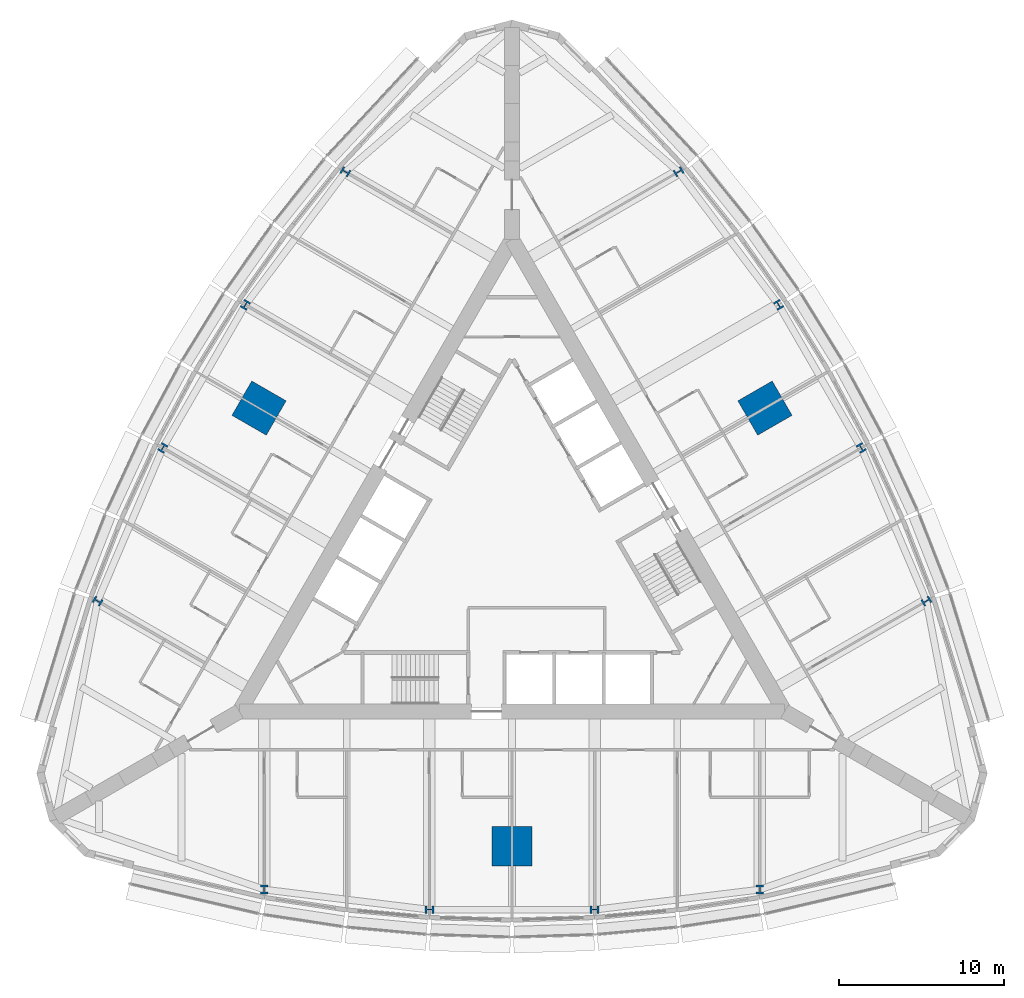
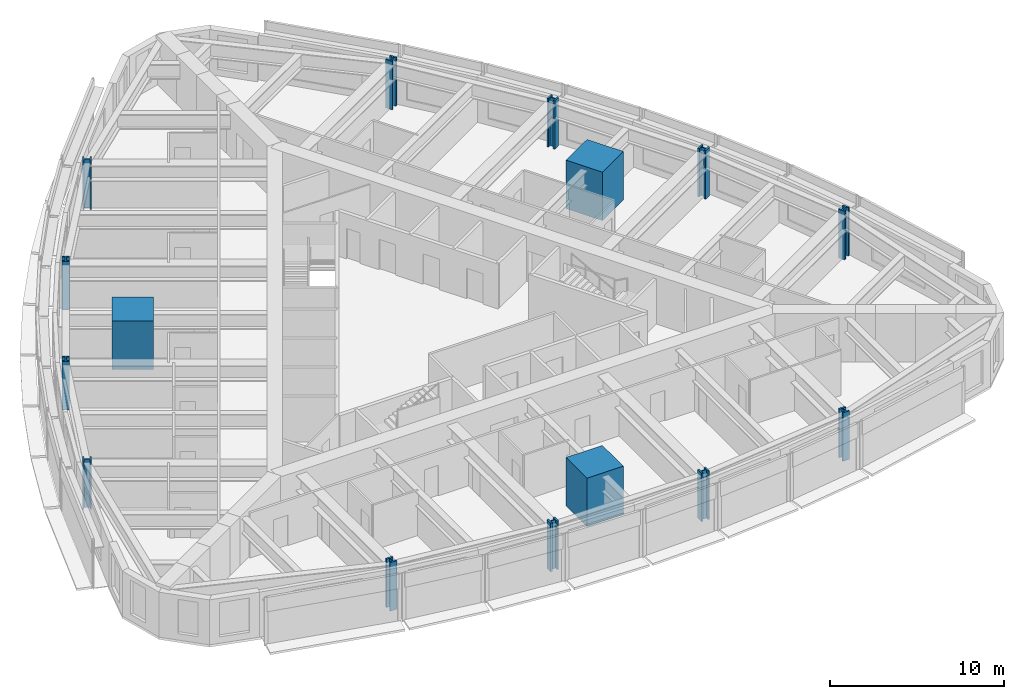
# One storey, part 1 of 14: 15 columns.
"""IFC4 building model written with IfcOpenShell, lengths in metres."""

from ifc_helpers import new_model, si_unit, direction, frame, origin, origin_2d, place, context, subcontext, project, spatial, rectangle, i_section, extrude, material, material_profile, profile_set, type_object, element, save


model = new_model("IFC4")

# Units and contexts
model_context = context("Model", 3, precision=1e-05, world=origin(), true_north=direction((0.0, 1.0)))
body_context = subcontext(model_context, "Body", "Model", "MODEL_VIEW")
ifc_project = project(units=[si_unit("LENGTHUNIT", "METRE"), si_unit("AREAUNIT", "SQUARE_METRE"), si_unit("VOLUMEUNIT", "CUBIC_METRE"), si_unit("PLANEANGLEUNIT", "RADIAN"), si_unit("MASSUNIT", "GRAM", prefix="KILO")], contexts=[model_context])

# Site, building, storey
site_placement = place(None, origin())
site = spatial("IfcSite", under=ifc_project, at=site_placement, CompositionType="ELEMENT")
building_placement = place(site_placement, origin())
building = spatial("IfcBuilding", under=site, at=building_placement, Name="Trikona Tower", CompositionType="ELEMENT")
storey_placement = place(building_placement, frame((0.0, 0.0, 99.89990234375)))
storey = spatial("IfcBuildingStorey", under=building, at=storey_placement, Name="L26", CompositionType="ELEMENT", Elevation=99.89990234375)

# Columns
ifc_material_1 = material(Name="Concrete f'c 10000 psi with encased steel section", Category="concrete")
ifc_material_profile_1 = material_profile(ifc_material_1, rectangle(XDim=2.39990234375, YDim=2.39990234375, at=origin_2d()), Name="MC2400")
ifc_profile_set_1 = profile_set([ifc_material_profile_1], Name="Concrete f'c 10000 psi with encased steel section")
column_type_1 = type_object("IfcColumnType", Name="Composite mega column 2400x2400", PredefinedType="COLUMN", material=ifc_profile_set_1)
for number, where, z_axis, x_axis, name in (
    (1, (0.0, -17.680419921875, 0.0), (0.0, 0.0, 1.0), (0.0, -1.0, 0.0), "Mega column MC1"),
    (2, (15.311767578125, 8.84033203125, 0.0), (0.0, 0.0, 1.0), (0.866025403784, 0.5, 0.0), "Mega column MC2"),
    (3, (-15.311767578125, 8.84033203125, 0.0), (0.0, 0.0, 1.0), (-0.866025403784, 0.5, 0.0), "Mega column MC3"),
):
    element("IfcColumn", number, at=place(storey_placement, frame(where, z_axis=z_axis, x_axis=x_axis)), inside=storey, type_object=column_type_1, Name=name, PredefinedType="COLUMN", context=body_context, shape_type="SweptSolid", body=[
        extrude(rectangle(XDim=2.39990234375, YDim=2.39990234375, at=origin_2d()), origin(), (0.0, 0.0, 1.0), 3.400146484375),
    ])
ifc_material_2 = material(Name="Steel ASTM A992 Grade 50", Category="steel")
ifc_material_profile_2 = material_profile(ifc_material_2, i_section(OverallWidth=0.44189453125, OverallDepth=0.53076171875, WebThickness=0.06591796875, FlangeThickness=0.105712890625, at=origin_2d()), Name="W14X605")
ifc_profile_set_2 = profile_set([ifc_material_profile_2], Name="Steel ASTM A992 Grade 50")
column_type_2 = type_object("IfcColumnType", Name="Steel column W14x605", PredefinedType="COLUMN", material=ifc_profile_set_2)
for number, where, z_axis, x_axis, name in (
    (4, (-15.0, -20.302978515625, 0.0), (0.0, 0.0, 1.0), (1.0, 0.0, 0.0), "Column F0m15"),
    (5, (-5.0, -21.5205078125, 0.0), (0.0, 0.0, 1.0), (0.0, -1.0, 0.0), "Column F0m5"),
    (6, (5.0, -21.5205078125, 0.0), (0.0, 0.0, 1.0), (0.0, -1.0, 0.0), "Column F0p5"),
    (7, (15.0, -20.302978515625, 0.0), (0.0, 0.0, 1.0), (1.0, 0.0, 0.0), "Column F0p15"),
    (8, (25.0830078125, -2.8388671875, 0.0), (0.0, 0.0, 1.0), (-0.5, 0.866025403784, 0.0), "Column F1m15"),
    (9, (21.13720703125, 6.43017578125, 0.0), (0.0, 0.0, 1.0), (0.866025403784, 0.5, 0.0), "Column F1m5"),
    (10, (16.13720703125, 15.09033203125, 0.0), (0.0, 0.0, 1.0), (0.866025403784, 0.5, 0.0), "Column F1p5"),
    (11, (10.0830078125, 23.141845703125, 0.0), (0.0, 0.0, 1.0), (-0.5, 0.866025403784, 0.0), "Column F1p15"),
    (12, (-10.0830078125, 23.141845703125, 0.0), (0.0, 0.0, 1.0), (-0.5, -0.866025403784, 0.0), "Column F2m15"),
    (13, (-16.13720703125, 15.09033203125, 0.0), (0.0, 0.0, 1.0), (-0.866025403784, 0.5, 0.0), "Column F2m5"),
    (14, (-21.13720703125, 6.43017578125, 0.0), (0.0, 0.0, 1.0), (-0.866025403784, 0.5, 0.0), "Column F2p5"),
    (15, (-25.0830078125, -2.8388671875, 0.0), (0.0, 0.0, 1.0), (-0.5, -0.866025403784, 0.0), "Column F2p15"),
):
    element("IfcColumn", number, at=place(storey_placement, frame(where, z_axis=z_axis, x_axis=x_axis)), inside=storey, type_object=column_type_2, Name=name, PredefinedType="COLUMN", context=body_context, shape_type="SweptSolid", body=[
        extrude(i_section(OverallWidth=0.44189453125, OverallDepth=0.53076171875, WebThickness=0.06591796875, FlangeThickness=0.105712890625, at=origin_2d()), origin(), (0.0, 0.0, 1.0), 3.400146484375),
    ])

save(model, "model.ifc")
